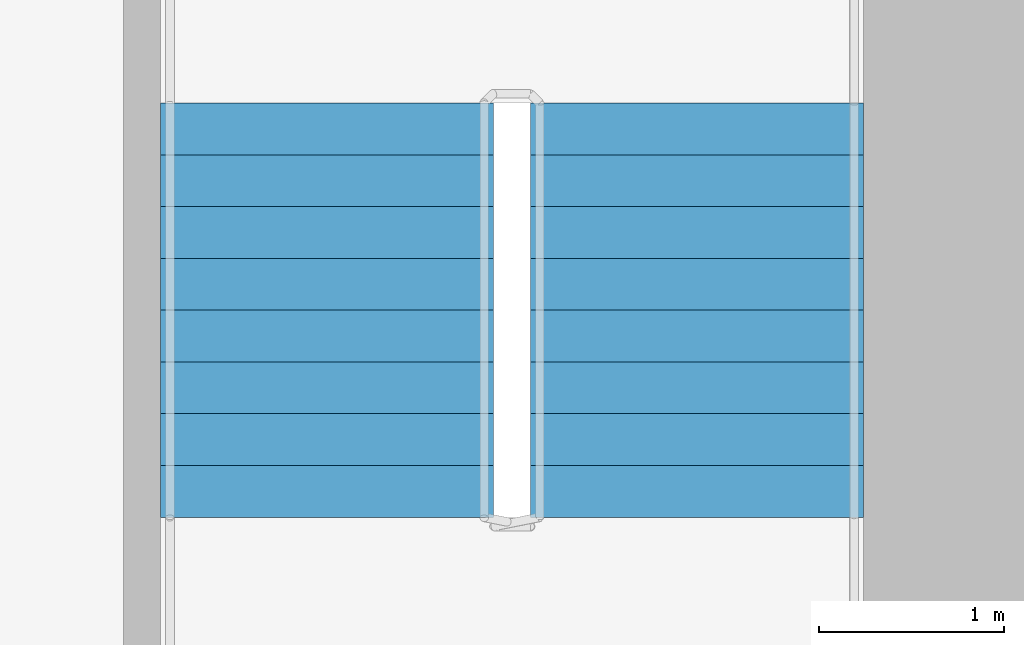
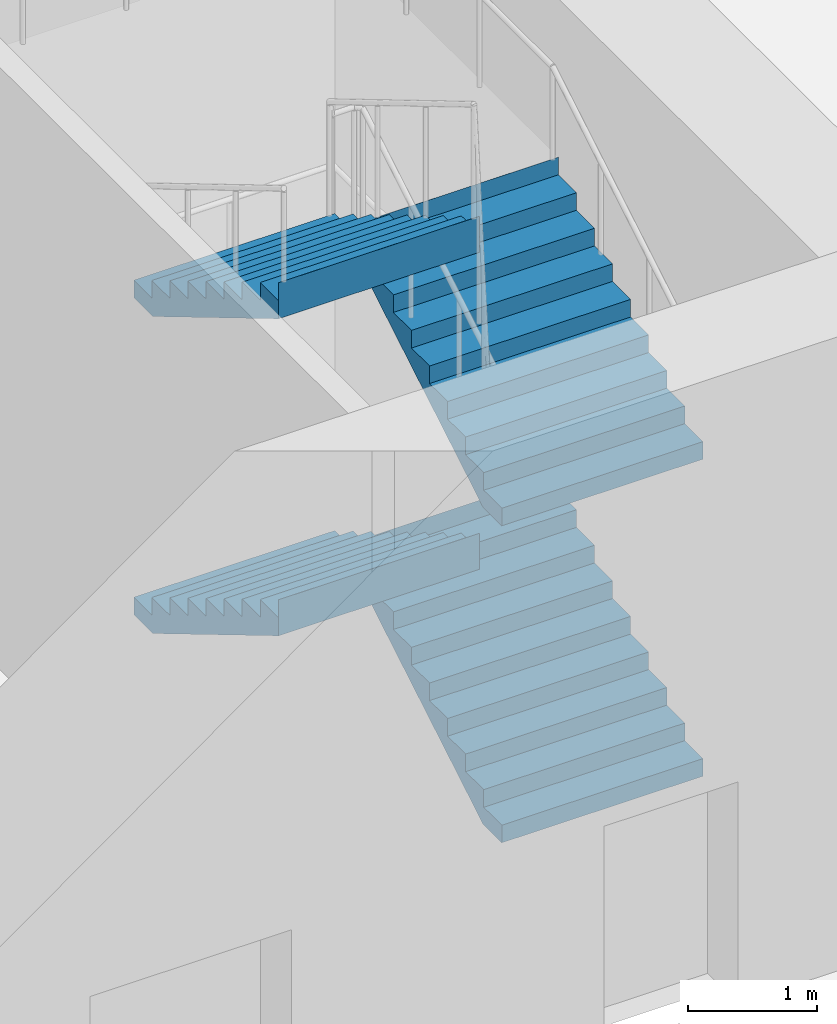
# One storey, part 20 of 45: 4 stair flights, 1 element without a shape of its own.
"""IFC4 building model written with IfcOpenShell, lengths in metres."""

from ifc_helpers import new_model, si_unit, direction, frame, origin, place, context, subcontext, project, spatial, polyline, outline, extrude, material, type_object, element, aggregate, save


model = new_model("IFC4")

# Units and contexts
model_context = context("Model", 3, precision=1e-05, world=origin(), true_north=direction((0.0, 1.0)))
body_context = subcontext(model_context, "Body", "Model", "MODEL_VIEW")
ifc_project = project(units=[si_unit("LENGTHUNIT", "METRE"), si_unit("AREAUNIT", "SQUARE_METRE"), si_unit("VOLUMEUNIT", "CUBIC_METRE"), si_unit("PLANEANGLEUNIT", "RADIAN"), si_unit("MASSUNIT", "GRAM", prefix="KILO")], contexts=[model_context])

# Site, building, storey
site_placement = place(None, origin())
site = spatial("IfcSite", under=ifc_project, at=site_placement, CompositionType="ELEMENT")
building_placement = place(site_placement, origin())
building = spatial("IfcBuilding", under=site, at=building_placement, Name="Tamorin Gate", CompositionType="ELEMENT")
storey_placement = place(building_placement, frame((0.0, 0.0, -6.0)))
storey = spatial("IfcBuildingStorey", under=building, at=storey_placement, Name="B1", CompositionType="ELEMENT", Elevation=-6.0)

# Stair, stair flights
ifc_material = material(Name="Concrete C40/50", Category="concrete")
stair_type = type_object("IfcStairType", Name="Exit stair", PredefinedType="HALF_TURN_STAIR", material=ifc_material)
stair_placement = place(storey_placement, origin())
stair = element("IfcStair", 1, at=stair_placement, inside=storey, type_object=stair_type, Name="B1 stair ST3", PredefinedType="HALF_TURN_STAIR")
stair_flight_type = type_object("IfcStairFlightType", Name="Exit stair flight", PredefinedType="STRAIGHT", material=ifc_material)
stair_flight_1_placement = place(storey_placement, frame((58.10009765625, 62.800048828125, 0.0), z_axis=(0.0, 0.0, 1.0), x_axis=(0.0, 1.0, 0.0)))
stair_flight_1 = element("IfcStairFlight", 2, at=stair_flight_1_placement, type_object=stair_flight_type, Name="ST3 flight 1", NumberOfRisers=9, NumberOfTreads=8, PredefinedType="STRAIGHT", RiserHeight=0.166666667, TreadLength=0.28, context=body_context, shape_type="SweptSolid", body=[
    extrude(outline(polyline([(-0.00048828125, 0.0), (-0.00048828125, 0.001708984375), (-0.00048828125, 0.00341796875), (-0.00048828125, 0.0048828125), (-0.00048828125, 0.006591796875), (-0.00048828125, 0.00830078125), (-0.00048828125, 0.010009765625), (-0.00048828125, 0.011474609375), (-0.00048828125, 0.01318359375), (-0.00048828125, 0.014892578125), (-0.00048828125, 0.0166015625), (-0.00048828125, 0.01806640625), (-0.00048828125, 0.019775390625), (-0.00048828125, 0.021484375), (-0.00048828125, 0.023193359375), (-0.00048828125, 0.024658203125), (-0.00048828125, 0.0263671875), (-0.00048828125, 0.028076171875), (-0.00048828125, 0.02978515625), (-0.00048828125, 0.03125), (-0.00048828125, 0.032958984375), (-0.00048828125, 0.03466796875), (-0.00048828125, 0.036376953125), (-0.00048828125, 0.037841796875), (-0.00048828125, 0.03955078125), (-0.00048828125, 0.041259765625), (-0.00048828125, 0.04296875), (-0.00048828125, 0.04443359375), (-0.00048828125, 0.046142578125), (-0.00048828125, 0.0478515625), (-0.00048828125, 0.049560546875), (-0.00048828125, 0.05126953125), (-0.00048828125, 0.052734375), (-0.00048828125, 0.054443359375), (-0.00048828125, 0.05615234375), (-0.00048828125, 0.057861328125), (-0.00048828125, 0.059326171875), (-0.00048828125, 0.06103515625), (-0.00048828125, 0.062744140625), (-0.00048828125, 0.064453125), (-0.00048828125, 0.06591796875), (-0.00048828125, 0.067626953125), (-0.00048828125, 0.0693359375), (-0.00048828125, 0.071044921875), (-0.00048828125, 0.072509765625), (-0.00048828125, 0.07421875), (-0.00048828125, 0.075927734375), (-0.00048828125, 0.07763671875), (-0.00048828125, 0.0791015625), (-0.00048828125, 0.080810546875), (-0.00048828125, 0.08251953125), (-0.00048828125, 0.084228515625), (-0.00048828125, 0.085693359375), (-0.00048828125, 0.08740234375), (-0.00048828125, 0.089111328125), (-0.00048828125, 0.0908203125), (-0.00048828125, 0.092529296875), (-0.00048828125, 0.093994140625), (-0.00048828125, 0.095703125), (-0.00048828125, 0.097412109375), (-0.00048828125, 0.09912109375), (-0.00048828125, 0.1005859375), (-0.00048828125, 0.102294921875), (-0.00048828125, 0.10400390625), (-0.00048828125, 0.105712890625), (-0.00048828125, 0.107177734375), (-0.00048828125, 0.10888671875), (-0.00048828125, 0.110595703125), (-0.00048828125, 0.1123046875), (-0.00048828125, 0.11376953125), (-0.00048828125, 0.115478515625), (-0.00048828125, 0.1171875), (-0.00048828125, 0.118896484375), (-0.00048828125, 0.120361328125), (-0.00048828125, 0.1220703125), (-0.00048828125, 0.123779296875), (-0.00048828125, 0.12548828125), (-0.00048828125, 0.126953125), (-0.00048828125, 0.128662109375), (-0.00048828125, 0.13037109375), (-0.00048828125, 0.132080078125), (-0.00048828125, 0.133544921875), (-0.00048828125, 0.13525390625), (-0.00048828125, 0.136962890625), (-0.00048828125, 0.138671875), (-0.00048828125, 0.140380859375), (-0.00048828125, 0.141845703125), (-0.00048828125, 0.1435546875), (-0.00048828125, 0.145263671875), (-0.00048828125, 0.14697265625), (-0.00048828125, 0.1484375), (-0.00048828125, 0.150146484375), (-0.00048828125, 0.15185546875), (-0.00048828125, 0.153564453125), (-0.00048828125, 0.155029296875), (-0.00048828125, 0.15673828125), (-0.00048828125, 0.158447265625), (-0.00048828125, 0.16015625), (-0.00048828125, 0.16162109375), (-0.00048828125, 0.163330078125), (-0.00048828125, 0.1650390625), (-0.00048828125, 0.166748046875), (0.280029296875, 0.166748046875), (0.280029296875, 0.333251953125), (0.56005859375, 0.333251953125), (0.56005859375, 0.5), (0.840087890625, 0.5), (0.840087890625, 0.666748046875), (1.1201171875, 0.666748046875), (1.1201171875, 0.833251953125), (1.39990234375, 0.833251953125), (1.39990234375, 1.0), (1.679931640625, 1.0), (1.679931640625, 1.166748046875), (1.9599609375, 1.166748046875), (1.9599609375, 1.333251953125), (2.239990234375, 1.333251953125), (2.239990234375, 1.5), (2.240478515625, 1.5), (2.240478515625, 1.49658203125), (2.240478515625, 1.4931640625), (2.240478515625, 1.48974609375), (2.240478515625, 1.486572265625), (2.240478515625, 1.483154296875), (2.240478515625, 1.479736328125), (2.240478515625, 1.476318359375), (2.240478515625, 1.472900390625), (2.240478515625, 1.469482421875), (2.240478515625, 1.46630859375), (2.240478515625, 1.462890625), (2.240478515625, 1.45947265625), (2.240478515625, 1.4560546875), (2.240478515625, 1.45263671875), (2.240478515625, 1.44921875), (2.240478515625, 1.446044921875), (2.240478515625, 1.442626953125), (2.240478515625, 1.439208984375), (2.240478515625, 1.435791015625), (2.240478515625, 1.432373046875), (2.240478515625, 1.428955078125), (2.240478515625, 1.42578125), (2.240478515625, 1.42236328125), (2.240478515625, 1.4189453125), (2.240478515625, 1.41552734375), (2.240478515625, 1.412109375), (2.240478515625, 1.40869140625), (2.240478515625, 1.405517578125), (2.240478515625, 1.402099609375), (2.240478515625, 1.398681640625), (2.240478515625, 1.395263671875), (2.240478515625, 1.391845703125), (2.240478515625, 1.388427734375), (2.240478515625, 1.38525390625), (2.240478515625, 1.3818359375), (2.240478515625, 1.37841796875), (2.240478515625, 1.375), (2.240478515625, 1.37158203125), (2.240478515625, 1.3681640625), (2.240478515625, 1.364990234375), (2.240478515625, 1.361572265625), (2.240478515625, 1.358154296875), (2.240478515625, 1.354736328125), (2.240478515625, 1.351318359375), (2.240478515625, 1.347900390625), (2.240478515625, 1.3447265625), (2.240478515625, 1.34130859375), (2.240478515625, 1.337890625), (2.240478515625, 1.33447265625), (2.240478515625, 1.3310546875), (2.240478515625, 1.32763671875), (2.240478515625, 1.324462890625), (2.240478515625, 1.321044921875), (2.240478515625, 1.317626953125), (2.240478515625, 1.314208984375), (2.240478515625, 1.310791015625), (2.240478515625, 1.307373046875), (2.240478515625, 1.30419921875), (2.240478515625, 1.30078125), (2.240478515625, 1.29736328125), (2.240478515625, 1.2939453125), (2.240478515625, 1.29052734375), (2.240478515625, 1.287109375), (2.240478515625, 1.283935546875), (2.240478515625, 1.280517578125), (2.240478515625, 1.277099609375), (2.240478515625, 1.273681640625), (2.240478515625, 1.270263671875), (2.240478515625, 1.266845703125), (2.240478515625, 1.263671875), (2.240478515625, 1.26025390625), (2.240478515625, 1.2568359375), (2.240478515625, 1.25341796875), (2.240478515625, 1.25), (2.240478515625, 1.24658203125), (2.240478515625, 1.243408203125), (2.240478515625, 1.239990234375), (2.240478515625, 1.236572265625), (2.240478515625, 1.233154296875), (2.240478515625, 1.229736328125), (2.240478515625, 1.226318359375), (2.240478515625, 1.22314453125), (2.240478515625, 1.2197265625), (2.240478515625, 1.21630859375), (2.240478515625, 1.212890625), (2.240478515625, 1.20947265625), (2.240478515625, 1.2060546875), (2.240478515625, 1.202880859375), (2.240478515625, 1.199462890625), (2.240478515625, 1.196044921875), (2.240478515625, 1.192626953125), (2.240478515625, 1.189208984375), (2.240478515625, 1.185791015625), (2.240478515625, 1.1826171875), (2.240478515625, 1.17919921875), (2.240478515625, 1.17578125), (2.240478515625, 1.17236328125), (2.240478515625, 1.1689453125), (2.240478515625, 1.16552734375), (2.240478515625, 1.162353515625), (2.240478515625, 1.158935546875), (2.239990234375, 1.158935546875), (0.29296875, 0.0), (-0.00048828125, 0.0)])), frame((0.0, 0.89990234375, 0.0), z_axis=(0.0, -1.0, 0.0), x_axis=(1.0, 0.0, 0.0)), (0.0, 0.0, 1.0), 1.800048828125),
])
stair_flight_2_placement = place(storey_placement, frame((56.10009765625, 65.0400390625, 1.5), z_axis=(0.0, 0.0, 1.0), x_axis=(0.0, -1.0, 0.0)))
stair_flight_2 = element("IfcStairFlight", 3, at=stair_flight_2_placement, type_object=stair_flight_type, Name="ST3 flight 2", NumberOfRisers=9, NumberOfTreads=8, PredefinedType="STRAIGHT", RiserHeight=0.166666667, TreadLength=0.28, context=body_context, shape_type="SweptSolid", body=[
    extrude(outline(polyline([(-0.00048828125, 0.0), (-0.00048828125, 0.001708984375), (-0.00048828125, 0.00341796875), (-0.00048828125, 0.0048828125), (-0.00048828125, 0.006591796875), (-0.00048828125, 0.00830078125), (-0.00048828125, 0.010009765625), (-0.00048828125, 0.011474609375), (-0.00048828125, 0.01318359375), (-0.00048828125, 0.014892578125), (-0.00048828125, 0.0166015625), (-0.00048828125, 0.01806640625), (-0.00048828125, 0.019775390625), (-0.00048828125, 0.021484375), (-0.00048828125, 0.023193359375), (-0.00048828125, 0.024658203125), (-0.00048828125, 0.0263671875), (-0.00048828125, 0.028076171875), (-0.00048828125, 0.02978515625), (-0.00048828125, 0.03125), (-0.00048828125, 0.032958984375), (-0.00048828125, 0.03466796875), (-0.00048828125, 0.036376953125), (-0.00048828125, 0.037841796875), (-0.00048828125, 0.03955078125), (-0.00048828125, 0.041259765625), (-0.00048828125, 0.04296875), (-0.00048828125, 0.04443359375), (-0.00048828125, 0.046142578125), (-0.00048828125, 0.0478515625), (-0.00048828125, 0.049560546875), (-0.00048828125, 0.05126953125), (-0.00048828125, 0.052734375), (-0.00048828125, 0.054443359375), (-0.00048828125, 0.05615234375), (-0.00048828125, 0.057861328125), (-0.00048828125, 0.059326171875), (-0.00048828125, 0.06103515625), (-0.00048828125, 0.062744140625), (-0.00048828125, 0.064453125), (-0.00048828125, 0.06591796875), (-0.00048828125, 0.067626953125), (-0.00048828125, 0.0693359375), (-0.00048828125, 0.071044921875), (-0.00048828125, 0.072509765625), (-0.00048828125, 0.07421875), (-0.00048828125, 0.075927734375), (-0.00048828125, 0.07763671875), (-0.00048828125, 0.0791015625), (-0.00048828125, 0.080810546875), (-0.00048828125, 0.08251953125), (-0.00048828125, 0.084228515625), (-0.00048828125, 0.085693359375), (-0.00048828125, 0.08740234375), (-0.00048828125, 0.089111328125), (-0.00048828125, 0.0908203125), (-0.00048828125, 0.092529296875), (-0.00048828125, 0.093994140625), (-0.00048828125, 0.095703125), (-0.00048828125, 0.097412109375), (-0.00048828125, 0.09912109375), (-0.00048828125, 0.1005859375), (-0.00048828125, 0.102294921875), (-0.00048828125, 0.10400390625), (-0.00048828125, 0.105712890625), (-0.00048828125, 0.107177734375), (-0.00048828125, 0.10888671875), (-0.00048828125, 0.110595703125), (-0.00048828125, 0.1123046875), (-0.00048828125, 0.11376953125), (-0.00048828125, 0.115478515625), (-0.00048828125, 0.1171875), (-0.00048828125, 0.118896484375), (-0.00048828125, 0.120361328125), (-0.00048828125, 0.1220703125), (-0.00048828125, 0.123779296875), (-0.00048828125, 0.12548828125), (-0.00048828125, 0.126953125), (-0.00048828125, 0.128662109375), (-0.00048828125, 0.13037109375), (-0.00048828125, 0.132080078125), (-0.00048828125, 0.133544921875), (-0.00048828125, 0.13525390625), (-0.00048828125, 0.136962890625), (-0.00048828125, 0.138671875), (-0.00048828125, 0.140380859375), (-0.00048828125, 0.141845703125), (-0.00048828125, 0.1435546875), (-0.00048828125, 0.145263671875), (-0.00048828125, 0.14697265625), (-0.00048828125, 0.1484375), (-0.00048828125, 0.150146484375), (-0.00048828125, 0.15185546875), (-0.00048828125, 0.153564453125), (-0.00048828125, 0.155029296875), (-0.00048828125, 0.15673828125), (-0.00048828125, 0.158447265625), (-0.00048828125, 0.16015625), (-0.00048828125, 0.16162109375), (-0.00048828125, 0.163330078125), (-0.00048828125, 0.1650390625), (-0.00048828125, 0.166748046875), (0.280029296875, 0.166748046875), (0.280029296875, 0.333251953125), (0.56005859375, 0.333251953125), (0.56005859375, 0.5), (0.840087890625, 0.5), (0.840087890625, 0.666748046875), (1.1201171875, 0.666748046875), (1.1201171875, 0.833251953125), (1.39990234375, 0.833251953125), (1.39990234375, 1.0), (1.679931640625, 1.0), (1.679931640625, 1.166748046875), (1.9599609375, 1.166748046875), (1.9599609375, 1.333251953125), (2.239990234375, 1.333251953125), (2.239990234375, 1.5), (2.240478515625, 1.5), (2.240478515625, 1.49658203125), (2.240478515625, 1.4931640625), (2.240478515625, 1.48974609375), (2.240478515625, 1.486572265625), (2.240478515625, 1.483154296875), (2.240478515625, 1.479736328125), (2.240478515625, 1.476318359375), (2.240478515625, 1.472900390625), (2.240478515625, 1.469482421875), (2.240478515625, 1.46630859375), (2.240478515625, 1.462890625), (2.240478515625, 1.45947265625), (2.240478515625, 1.4560546875), (2.240478515625, 1.45263671875), (2.240478515625, 1.44921875), (2.240478515625, 1.446044921875), (2.240478515625, 1.442626953125), (2.240478515625, 1.439208984375), (2.240478515625, 1.435791015625), (2.240478515625, 1.432373046875), (2.240478515625, 1.428955078125), (2.240478515625, 1.42578125), (2.240478515625, 1.42236328125), (2.240478515625, 1.4189453125), (2.240478515625, 1.41552734375), (2.240478515625, 1.412109375), (2.240478515625, 1.40869140625), (2.240478515625, 1.405517578125), (2.240478515625, 1.402099609375), (2.240478515625, 1.398681640625), (2.240478515625, 1.395263671875), (2.240478515625, 1.391845703125), (2.240478515625, 1.388427734375), (2.240478515625, 1.38525390625), (2.240478515625, 1.3818359375), (2.240478515625, 1.37841796875), (2.240478515625, 1.375), (2.240478515625, 1.37158203125), (2.240478515625, 1.3681640625), (2.240478515625, 1.364990234375), (2.240478515625, 1.361572265625), (2.240478515625, 1.358154296875), (2.240478515625, 1.354736328125), (2.240478515625, 1.351318359375), (2.240478515625, 1.347900390625), (2.240478515625, 1.3447265625), (2.240478515625, 1.34130859375), (2.240478515625, 1.337890625), (2.240478515625, 1.33447265625), (2.240478515625, 1.3310546875), (2.240478515625, 1.32763671875), (2.240478515625, 1.324462890625), (2.240478515625, 1.321044921875), (2.240478515625, 1.317626953125), (2.240478515625, 1.314208984375), (2.240478515625, 1.310791015625), (2.240478515625, 1.307373046875), (2.240478515625, 1.30419921875), (2.240478515625, 1.30078125), (2.240478515625, 1.29736328125), (2.240478515625, 1.2939453125), (2.240478515625, 1.29052734375), (2.240478515625, 1.287109375), (2.240478515625, 1.283935546875), (2.240478515625, 1.280517578125), (2.240478515625, 1.277099609375), (2.240478515625, 1.273681640625), (2.240478515625, 1.270263671875), (2.240478515625, 1.266845703125), (2.240478515625, 1.263671875), (2.240478515625, 1.26025390625), (2.240478515625, 1.2568359375), (2.240478515625, 1.25341796875), (2.240478515625, 1.25), (2.240478515625, 1.24658203125), (2.240478515625, 1.243408203125), (2.240478515625, 1.239990234375), (2.240478515625, 1.236572265625), (2.240478515625, 1.233154296875), (2.240478515625, 1.229736328125), (2.240478515625, 1.226318359375), (2.240478515625, 1.22314453125), (2.240478515625, 1.2197265625), (2.240478515625, 1.21630859375), (2.240478515625, 1.212890625), (2.240478515625, 1.20947265625), (2.240478515625, 1.2060546875), (2.240478515625, 1.202880859375), (2.240478515625, 1.199462890625), (2.240478515625, 1.196044921875), (2.240478515625, 1.192626953125), (2.240478515625, 1.189208984375), (2.240478515625, 1.185791015625), (2.240478515625, 1.1826171875), (2.240478515625, 1.17919921875), (2.240478515625, 1.17578125), (2.240478515625, 1.17236328125), (2.240478515625, 1.1689453125), (2.240478515625, 1.16552734375), (2.240478515625, 1.162353515625), (2.240478515625, 1.158935546875), (2.239990234375, 1.158935546875), (0.29296875, 0.0), (-0.00048828125, 0.0)])), frame((0.0, 0.89990234375, 0.0), z_axis=(0.0, -1.0, 0.0), x_axis=(1.0, 0.0, 0.0)), (0.0, 0.0, 1.0), 1.800048828125),
])
stair_flight_3_placement = place(storey_placement, frame((58.10009765625, 62.800048828125, 3.0), z_axis=(0.0, 0.0, 1.0), x_axis=(0.0, 1.0, 0.0)))
stair_flight_3 = element("IfcStairFlight", 4, at=stair_flight_3_placement, type_object=stair_flight_type, Name="ST3 flight 3", NumberOfRisers=9, NumberOfTreads=8, PredefinedType="STRAIGHT", RiserHeight=0.166666667, TreadLength=0.28, context=body_context, shape_type="SweptSolid", body=[
    extrude(outline(polyline([(-0.00048828125, 0.0), (-0.00048828125, 0.001708984375), (-0.00048828125, 0.00341796875), (-0.00048828125, 0.0048828125), (-0.00048828125, 0.006591796875), (-0.00048828125, 0.00830078125), (-0.00048828125, 0.010009765625), (-0.00048828125, 0.011474609375), (-0.00048828125, 0.01318359375), (-0.00048828125, 0.014892578125), (-0.00048828125, 0.0166015625), (-0.00048828125, 0.01806640625), (-0.00048828125, 0.019775390625), (-0.00048828125, 0.021484375), (-0.00048828125, 0.023193359375), (-0.00048828125, 0.024658203125), (-0.00048828125, 0.0263671875), (-0.00048828125, 0.028076171875), (-0.00048828125, 0.02978515625), (-0.00048828125, 0.03125), (-0.00048828125, 0.032958984375), (-0.00048828125, 0.03466796875), (-0.00048828125, 0.036376953125), (-0.00048828125, 0.037841796875), (-0.00048828125, 0.03955078125), (-0.00048828125, 0.041259765625), (-0.00048828125, 0.04296875), (-0.00048828125, 0.04443359375), (-0.00048828125, 0.046142578125), (-0.00048828125, 0.0478515625), (-0.00048828125, 0.049560546875), (-0.00048828125, 0.05126953125), (-0.00048828125, 0.052734375), (-0.00048828125, 0.054443359375), (-0.00048828125, 0.05615234375), (-0.00048828125, 0.057861328125), (-0.00048828125, 0.059326171875), (-0.00048828125, 0.06103515625), (-0.00048828125, 0.062744140625), (-0.00048828125, 0.064453125), (-0.00048828125, 0.06591796875), (-0.00048828125, 0.067626953125), (-0.00048828125, 0.0693359375), (-0.00048828125, 0.071044921875), (-0.00048828125, 0.072509765625), (-0.00048828125, 0.07421875), (-0.00048828125, 0.075927734375), (-0.00048828125, 0.07763671875), (-0.00048828125, 0.0791015625), (-0.00048828125, 0.080810546875), (-0.00048828125, 0.08251953125), (-0.00048828125, 0.084228515625), (-0.00048828125, 0.085693359375), (-0.00048828125, 0.08740234375), (-0.00048828125, 0.089111328125), (-0.00048828125, 0.0908203125), (-0.00048828125, 0.092529296875), (-0.00048828125, 0.093994140625), (-0.00048828125, 0.095703125), (-0.00048828125, 0.097412109375), (-0.00048828125, 0.09912109375), (-0.00048828125, 0.1005859375), (-0.00048828125, 0.102294921875), (-0.00048828125, 0.10400390625), (-0.00048828125, 0.105712890625), (-0.00048828125, 0.107177734375), (-0.00048828125, 0.10888671875), (-0.00048828125, 0.110595703125), (-0.00048828125, 0.1123046875), (-0.00048828125, 0.11376953125), (-0.00048828125, 0.115478515625), (-0.00048828125, 0.1171875), (-0.00048828125, 0.118896484375), (-0.00048828125, 0.120361328125), (-0.00048828125, 0.1220703125), (-0.00048828125, 0.123779296875), (-0.00048828125, 0.12548828125), (-0.00048828125, 0.126953125), (-0.00048828125, 0.128662109375), (-0.00048828125, 0.13037109375), (-0.00048828125, 0.132080078125), (-0.00048828125, 0.133544921875), (-0.00048828125, 0.13525390625), (-0.00048828125, 0.136962890625), (-0.00048828125, 0.138671875), (-0.00048828125, 0.140380859375), (-0.00048828125, 0.141845703125), (-0.00048828125, 0.1435546875), (-0.00048828125, 0.145263671875), (-0.00048828125, 0.14697265625), (-0.00048828125, 0.1484375), (-0.00048828125, 0.150146484375), (-0.00048828125, 0.15185546875), (-0.00048828125, 0.153564453125), (-0.00048828125, 0.155029296875), (-0.00048828125, 0.15673828125), (-0.00048828125, 0.158447265625), (-0.00048828125, 0.16015625), (-0.00048828125, 0.16162109375), (-0.00048828125, 0.163330078125), (-0.00048828125, 0.1650390625), (-0.00048828125, 0.166748046875), (0.280029296875, 0.166748046875), (0.280029296875, 0.333251953125), (0.56005859375, 0.333251953125), (0.56005859375, 0.5), (0.840087890625, 0.5), (0.840087890625, 0.666748046875), (1.1201171875, 0.666748046875), (1.1201171875, 0.833251953125), (1.39990234375, 0.833251953125), (1.39990234375, 1.0), (1.679931640625, 1.0), (1.679931640625, 1.166748046875), (1.9599609375, 1.166748046875), (1.9599609375, 1.333251953125), (2.239990234375, 1.333251953125), (2.239990234375, 1.5), (2.240478515625, 1.5), (2.240478515625, 1.49658203125), (2.240478515625, 1.4931640625), (2.240478515625, 1.48974609375), (2.240478515625, 1.486572265625), (2.240478515625, 1.483154296875), (2.240478515625, 1.479736328125), (2.240478515625, 1.476318359375), (2.240478515625, 1.472900390625), (2.240478515625, 1.469482421875), (2.240478515625, 1.46630859375), (2.240478515625, 1.462890625), (2.240478515625, 1.45947265625), (2.240478515625, 1.4560546875), (2.240478515625, 1.45263671875), (2.240478515625, 1.44921875), (2.240478515625, 1.446044921875), (2.240478515625, 1.442626953125), (2.240478515625, 1.439208984375), (2.240478515625, 1.435791015625), (2.240478515625, 1.432373046875), (2.240478515625, 1.428955078125), (2.240478515625, 1.42578125), (2.240478515625, 1.42236328125), (2.240478515625, 1.4189453125), (2.240478515625, 1.41552734375), (2.240478515625, 1.412109375), (2.240478515625, 1.40869140625), (2.240478515625, 1.405517578125), (2.240478515625, 1.402099609375), (2.240478515625, 1.398681640625), (2.240478515625, 1.395263671875), (2.240478515625, 1.391845703125), (2.240478515625, 1.388427734375), (2.240478515625, 1.38525390625), (2.240478515625, 1.3818359375), (2.240478515625, 1.37841796875), (2.240478515625, 1.375), (2.240478515625, 1.37158203125), (2.240478515625, 1.3681640625), (2.240478515625, 1.364990234375), (2.240478515625, 1.361572265625), (2.240478515625, 1.358154296875), (2.240478515625, 1.354736328125), (2.240478515625, 1.351318359375), (2.240478515625, 1.347900390625), (2.240478515625, 1.3447265625), (2.240478515625, 1.34130859375), (2.240478515625, 1.337890625), (2.240478515625, 1.33447265625), (2.240478515625, 1.3310546875), (2.240478515625, 1.32763671875), (2.240478515625, 1.324462890625), (2.240478515625, 1.321044921875), (2.240478515625, 1.317626953125), (2.240478515625, 1.314208984375), (2.240478515625, 1.310791015625), (2.240478515625, 1.307373046875), (2.240478515625, 1.30419921875), (2.240478515625, 1.30078125), (2.240478515625, 1.29736328125), (2.240478515625, 1.2939453125), (2.240478515625, 1.29052734375), (2.240478515625, 1.287109375), (2.240478515625, 1.283935546875), (2.240478515625, 1.280517578125), (2.240478515625, 1.277099609375), (2.240478515625, 1.273681640625), (2.240478515625, 1.270263671875), (2.240478515625, 1.266845703125), (2.240478515625, 1.263671875), (2.240478515625, 1.26025390625), (2.240478515625, 1.2568359375), (2.240478515625, 1.25341796875), (2.240478515625, 1.25), (2.240478515625, 1.24658203125), (2.240478515625, 1.243408203125), (2.240478515625, 1.239990234375), (2.240478515625, 1.236572265625), (2.240478515625, 1.233154296875), (2.240478515625, 1.229736328125), (2.240478515625, 1.226318359375), (2.240478515625, 1.22314453125), (2.240478515625, 1.2197265625), (2.240478515625, 1.21630859375), (2.240478515625, 1.212890625), (2.240478515625, 1.20947265625), (2.240478515625, 1.2060546875), (2.240478515625, 1.202880859375), (2.240478515625, 1.199462890625), (2.240478515625, 1.196044921875), (2.240478515625, 1.192626953125), (2.240478515625, 1.189208984375), (2.240478515625, 1.185791015625), (2.240478515625, 1.1826171875), (2.240478515625, 1.17919921875), (2.240478515625, 1.17578125), (2.240478515625, 1.17236328125), (2.240478515625, 1.1689453125), (2.240478515625, 1.16552734375), (2.240478515625, 1.162353515625), (2.240478515625, 1.158935546875), (2.239990234375, 1.158935546875), (0.29296875, 0.0), (-0.00048828125, 0.0)])), frame((0.0, 0.89990234375, 0.0), z_axis=(0.0, -1.0, 0.0), x_axis=(1.0, 0.0, 0.0)), (0.0, 0.0, 1.0), 1.800048828125),
])
stair_flight_4_placement = place(storey_placement, frame((56.10009765625, 65.0400390625, 4.5), z_axis=(0.0, 0.0, 1.0), x_axis=(0.0, -1.0, 0.0)))
stair_flight_4 = element("IfcStairFlight", 5, at=stair_flight_4_placement, type_object=stair_flight_type, Name="ST3 flight 4", NumberOfRisers=9, NumberOfTreads=8, PredefinedType="STRAIGHT", RiserHeight=0.166666667, TreadLength=0.28, context=body_context, shape_type="SweptSolid", body=[
    extrude(outline(polyline([(-0.00048828125, 0.0), (-0.00048828125, 0.001708984375), (-0.00048828125, 0.00341796875), (-0.00048828125, 0.0048828125), (-0.00048828125, 0.006591796875), (-0.00048828125, 0.00830078125), (-0.00048828125, 0.010009765625), (-0.00048828125, 0.011474609375), (-0.00048828125, 0.01318359375), (-0.00048828125, 0.014892578125), (-0.00048828125, 0.0166015625), (-0.00048828125, 0.01806640625), (-0.00048828125, 0.019775390625), (-0.00048828125, 0.021484375), (-0.00048828125, 0.023193359375), (-0.00048828125, 0.024658203125), (-0.00048828125, 0.0263671875), (-0.00048828125, 0.028076171875), (-0.00048828125, 0.02978515625), (-0.00048828125, 0.03125), (-0.00048828125, 0.032958984375), (-0.00048828125, 0.03466796875), (-0.00048828125, 0.036376953125), (-0.00048828125, 0.037841796875), (-0.00048828125, 0.03955078125), (-0.00048828125, 0.041259765625), (-0.00048828125, 0.04296875), (-0.00048828125, 0.04443359375), (-0.00048828125, 0.046142578125), (-0.00048828125, 0.0478515625), (-0.00048828125, 0.049560546875), (-0.00048828125, 0.05126953125), (-0.00048828125, 0.052734375), (-0.00048828125, 0.054443359375), (-0.00048828125, 0.05615234375), (-0.00048828125, 0.057861328125), (-0.00048828125, 0.059326171875), (-0.00048828125, 0.06103515625), (-0.00048828125, 0.062744140625), (-0.00048828125, 0.064453125), (-0.00048828125, 0.06591796875), (-0.00048828125, 0.067626953125), (-0.00048828125, 0.0693359375), (-0.00048828125, 0.071044921875), (-0.00048828125, 0.072509765625), (-0.00048828125, 0.07421875), (-0.00048828125, 0.075927734375), (-0.00048828125, 0.07763671875), (-0.00048828125, 0.0791015625), (-0.00048828125, 0.080810546875), (-0.00048828125, 0.08251953125), (-0.00048828125, 0.084228515625), (-0.00048828125, 0.085693359375), (-0.00048828125, 0.08740234375), (-0.00048828125, 0.089111328125), (-0.00048828125, 0.0908203125), (-0.00048828125, 0.092529296875), (-0.00048828125, 0.093994140625), (-0.00048828125, 0.095703125), (-0.00048828125, 0.097412109375), (-0.00048828125, 0.09912109375), (-0.00048828125, 0.1005859375), (-0.00048828125, 0.102294921875), (-0.00048828125, 0.10400390625), (-0.00048828125, 0.105712890625), (-0.00048828125, 0.107177734375), (-0.00048828125, 0.10888671875), (-0.00048828125, 0.110595703125), (-0.00048828125, 0.1123046875), (-0.00048828125, 0.11376953125), (-0.00048828125, 0.115478515625), (-0.00048828125, 0.1171875), (-0.00048828125, 0.118896484375), (-0.00048828125, 0.120361328125), (-0.00048828125, 0.1220703125), (-0.00048828125, 0.123779296875), (-0.00048828125, 0.12548828125), (-0.00048828125, 0.126953125), (-0.00048828125, 0.128662109375), (-0.00048828125, 0.13037109375), (-0.00048828125, 0.132080078125), (-0.00048828125, 0.133544921875), (-0.00048828125, 0.13525390625), (-0.00048828125, 0.136962890625), (-0.00048828125, 0.138671875), (-0.00048828125, 0.140380859375), (-0.00048828125, 0.141845703125), (-0.00048828125, 0.1435546875), (-0.00048828125, 0.145263671875), (-0.00048828125, 0.14697265625), (-0.00048828125, 0.1484375), (-0.00048828125, 0.150146484375), (-0.00048828125, 0.15185546875), (-0.00048828125, 0.153564453125), (-0.00048828125, 0.155029296875), (-0.00048828125, 0.15673828125), (-0.00048828125, 0.158447265625), (-0.00048828125, 0.16015625), (-0.00048828125, 0.16162109375), (-0.00048828125, 0.163330078125), (-0.00048828125, 0.1650390625), (-0.00048828125, 0.166748046875), (0.280029296875, 0.166748046875), (0.280029296875, 0.333251953125), (0.56005859375, 0.333251953125), (0.56005859375, 0.5), (0.840087890625, 0.5), (0.840087890625, 0.666748046875), (1.1201171875, 0.666748046875), (1.1201171875, 0.833251953125), (1.39990234375, 0.833251953125), (1.39990234375, 1.0), (1.679931640625, 1.0), (1.679931640625, 1.166748046875), (1.9599609375, 1.166748046875), (1.9599609375, 1.333251953125), (2.239990234375, 1.333251953125), (2.239990234375, 1.5), (2.240478515625, 1.5), (2.240478515625, 1.49658203125), (2.240478515625, 1.4931640625), (2.240478515625, 1.48974609375), (2.240478515625, 1.486572265625), (2.240478515625, 1.483154296875), (2.240478515625, 1.479736328125), (2.240478515625, 1.476318359375), (2.240478515625, 1.472900390625), (2.240478515625, 1.469482421875), (2.240478515625, 1.46630859375), (2.240478515625, 1.462890625), (2.240478515625, 1.45947265625), (2.240478515625, 1.4560546875), (2.240478515625, 1.45263671875), (2.240478515625, 1.44921875), (2.240478515625, 1.446044921875), (2.240478515625, 1.442626953125), (2.240478515625, 1.439208984375), (2.240478515625, 1.435791015625), (2.240478515625, 1.432373046875), (2.240478515625, 1.428955078125), (2.240478515625, 1.42578125), (2.240478515625, 1.42236328125), (2.240478515625, 1.4189453125), (2.240478515625, 1.41552734375), (2.240478515625, 1.412109375), (2.240478515625, 1.40869140625), (2.240478515625, 1.405517578125), (2.240478515625, 1.402099609375), (2.240478515625, 1.398681640625), (2.240478515625, 1.395263671875), (2.240478515625, 1.391845703125), (2.240478515625, 1.388427734375), (2.240478515625, 1.38525390625), (2.240478515625, 1.3818359375), (2.240478515625, 1.37841796875), (2.240478515625, 1.375), (2.240478515625, 1.37158203125), (2.240478515625, 1.3681640625), (2.240478515625, 1.364990234375), (2.240478515625, 1.361572265625), (2.240478515625, 1.358154296875), (2.240478515625, 1.354736328125), (2.240478515625, 1.351318359375), (2.240478515625, 1.347900390625), (2.240478515625, 1.3447265625), (2.240478515625, 1.34130859375), (2.240478515625, 1.337890625), (2.240478515625, 1.33447265625), (2.240478515625, 1.3310546875), (2.240478515625, 1.32763671875), (2.240478515625, 1.324462890625), (2.240478515625, 1.321044921875), (2.240478515625, 1.317626953125), (2.240478515625, 1.314208984375), (2.240478515625, 1.310791015625), (2.240478515625, 1.307373046875), (2.240478515625, 1.30419921875), (2.240478515625, 1.30078125), (2.240478515625, 1.29736328125), (2.240478515625, 1.2939453125), (2.240478515625, 1.29052734375), (2.240478515625, 1.287109375), (2.240478515625, 1.283935546875), (2.240478515625, 1.280517578125), (2.240478515625, 1.277099609375), (2.240478515625, 1.273681640625), (2.240478515625, 1.270263671875), (2.240478515625, 1.266845703125), (2.240478515625, 1.263671875), (2.240478515625, 1.26025390625), (2.240478515625, 1.2568359375), (2.240478515625, 1.25341796875), (2.240478515625, 1.25), (2.240478515625, 1.24658203125), (2.240478515625, 1.243408203125), (2.240478515625, 1.239990234375), (2.240478515625, 1.236572265625), (2.240478515625, 1.233154296875), (2.240478515625, 1.229736328125), (2.240478515625, 1.226318359375), (2.240478515625, 1.22314453125), (2.240478515625, 1.2197265625), (2.240478515625, 1.21630859375), (2.240478515625, 1.212890625), (2.240478515625, 1.20947265625), (2.240478515625, 1.2060546875), (2.240478515625, 1.202880859375), (2.240478515625, 1.199462890625), (2.240478515625, 1.196044921875), (2.240478515625, 1.192626953125), (2.240478515625, 1.189208984375), (2.240478515625, 1.185791015625), (2.240478515625, 1.1826171875), (2.240478515625, 1.17919921875), (2.240478515625, 1.17578125), (2.240478515625, 1.17236328125), (2.240478515625, 1.1689453125), (2.240478515625, 1.16552734375), (2.240478515625, 1.162353515625), (2.240478515625, 1.158935546875), (2.239990234375, 1.158935546875), (0.29296875, 0.0), (-0.00048828125, 0.0)])), frame((0.0, 0.89990234375, 0.0), z_axis=(0.0, -1.0, 0.0), x_axis=(1.0, 0.0, 0.0)), (0.0, 0.0, 1.0), 1.800048828125),
])
aggregate(stair, [stair_flight_1, stair_flight_2, stair_flight_3, stair_flight_4])

save(model, "model.ifc")
